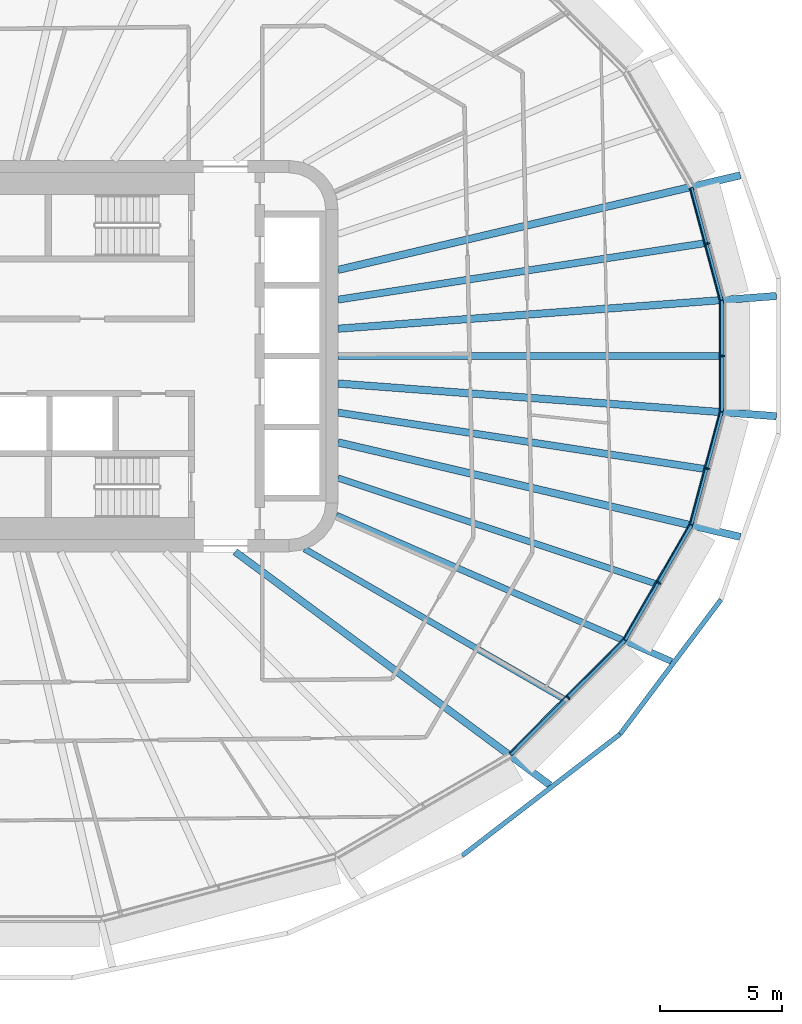
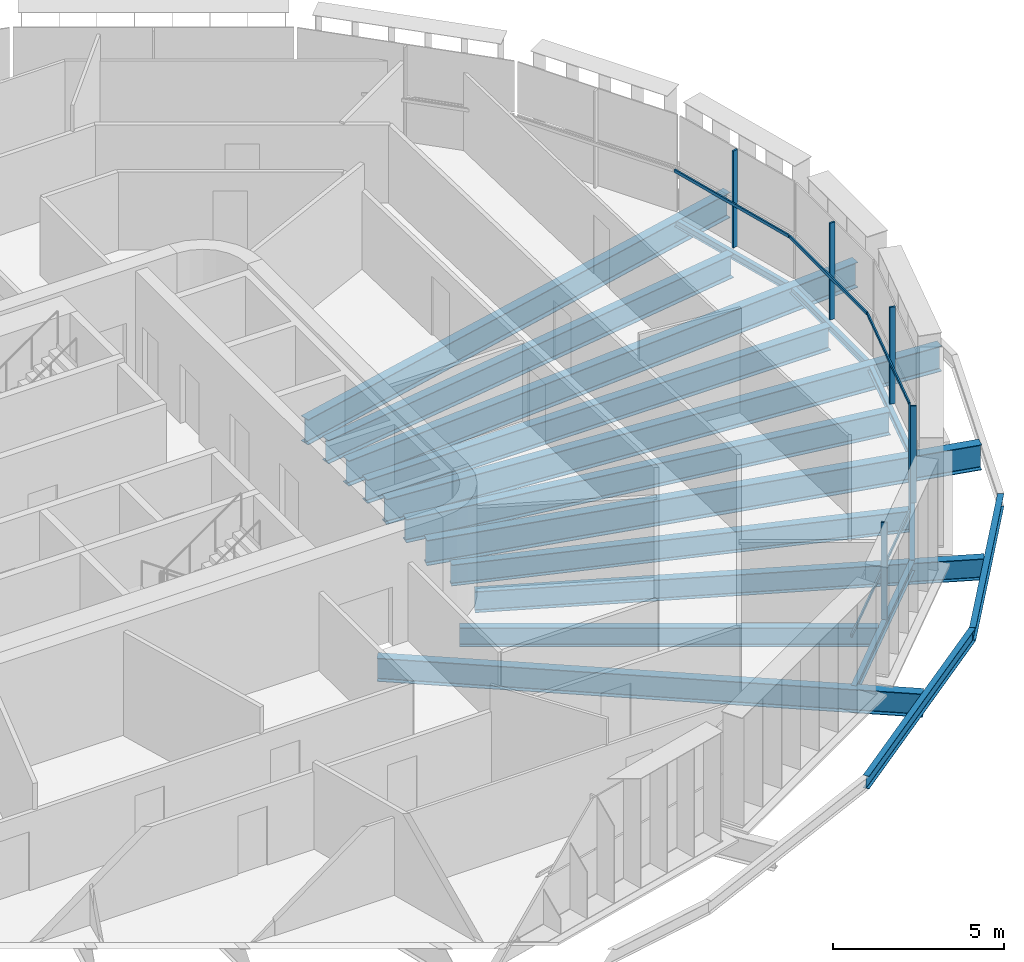
# One storey, part 4 of 22: 18 beams, 10 members, 5 elements without a shape of their own.
"""IFC4 building model written with IfcOpenShell, lengths in metres."""

import ifcopenshell
import ifcopenshell.guid

model = None  # the IFC model being written
_history = None  # IfcOwnerHistory: only IFC2X3 demands one
_inside = {}  # id of a spatial element -> (the spatial element, [elements in it])
_under = {}  # id of a project, library or spatial element -> (it, [spatial elements below it])
_declared = {}  # id of a project -> (the project, [libraries it declares])
_typed = {}  # id of a type object -> (the type object, [elements of that type])
_made_of = {}  # id of a material, layer set ... -> (it, [elements and type objects made of it])


def new_model(schema):
    """Start an empty IFC model of exactly this schema.

    Asked for "IFC4X3", IfcOpenShell would pick the latest addendum, in which some entities
    have other attributes; the version numbers below select the first issue.
    IFC2X3 requires an IfcOwnerHistory on every rooted entity: one is made here for all.
    """
    global model, _history
    if schema == "IFC4X3":
        model = ifcopenshell.file(schema_version=(4, 3, 0, 0))
    else:
        model = ifcopenshell.file(schema=schema)
    _inside.clear()
    _under.clear()
    _declared.clear()
    _typed.clear()
    _made_of.clear()
    _history = None
    if model.schema == "IFC2X3":
        org = make("IfcOrganization", Name="unknown")
        user = make(
            "IfcPersonAndOrganization",
            ThePerson=make("IfcPerson", FamilyName="unknown"),
            TheOrganization=org,
        )
        app = make(
            "IfcApplication",
            ApplicationDeveloper=org,
            Version="unknown",
            ApplicationFullName="unknown",
            ApplicationIdentifier="unknown",
        )
        _history = make(
            "IfcOwnerHistory",
            OwningUser=user,
            OwningApplication=app,
            ChangeAction="ADDED",
            CreationDate=0,
        )
    return model


def make(cls, **values):
    """One entity of the class cls with the attributes given. An attribute that is None is left unset."""
    return model.create_entity(
        cls, **{name: value for name, value in values.items() if value is not None}
    )


def rooted(cls, **values):
    """An entity with a GlobalId (a new one), such as an element, a storey or a relation."""
    return make(cls, GlobalId=ifcopenshell.guid.new(), OwnerHistory=_history, **values)


def si_unit(unit_type, name, prefix=None):
    """IfcSIUnit, for example si_unit("LENGTHUNIT", "METRE", prefix="MILLI")."""
    return make("IfcSIUnit", UnitType=unit_type, Prefix=prefix, Name=name)


def assignment(units):
    """IfcUnitAssignment: the units of a project."""
    return None if units is None else make("IfcUnitAssignment", Units=units)


def point(xyz):
    """IfcCartesianPoint."""
    return None if xyz is None else make("IfcCartesianPoint", Coordinates=xyz)


def direction(xyz):
    """IfcDirection."""
    return None if xyz is None else make("IfcDirection", DirectionRatios=xyz)


def frame(location, z_axis=None, x_axis=None):
    """IfcAxis2Placement3D, a coordinate frame: its origin and axes. An axis left out is left unset."""
    return make(
        "IfcAxis2Placement3D",
        Location=point(location),
        Axis=direction(z_axis),
        RefDirection=direction(x_axis),
    )


def frame_2d(location, x_axis=None):
    """IfcAxis2Placement2D, a coordinate frame in the plane: its origin and x axis."""
    return make(
        "IfcAxis2Placement2D", Location=point(location), RefDirection=direction(x_axis)
    )


def origin():
    """The frame at (0, 0, 0) with its axes left unset."""
    return frame((0.0, 0.0, 0.0))


def origin_2d():
    """The frame at (0, 0) in the plane with its x axis left unset."""
    return frame_2d((0.0, 0.0))


def place(relative_to, where):
    """IfcLocalPlacement: puts the frame where relative to a parent placement (None: the world)."""
    return make(
        "IfcLocalPlacement", PlacementRelTo=relative_to, RelativePlacement=where
    )


def context(
    kind, dimensions, precision=None, world=None, true_north=None, identifier=None
):
    """IfcGeometricRepresentationContext, for example the 3D "Model" context."""
    return make(
        "IfcGeometricRepresentationContext",
        ContextIdentifier=identifier,
        ContextType=kind,
        CoordinateSpaceDimension=dimensions,
        Precision=precision,
        WorldCoordinateSystem=world,
        TrueNorth=true_north,
    )


def subcontext(parent, identifier, kind, view, scale=None):
    """IfcGeometricRepresentationSubContext, for example "Body" below "Model"."""
    return make(
        "IfcGeometricRepresentationSubContext",
        ContextIdentifier=identifier,
        ContextType=kind,
        ParentContext=parent,
        TargetScale=scale,
        TargetView=view,
    )


def project(units=None, contexts=None):
    """IfcProject with its units and contexts."""
    return rooted(
        "IfcProject",
        Name="project",
        RepresentationContexts=contexts,
        UnitsInContext=assignment(units),
    )


def spatial(cls, under=None, at=None, **own):
    """A site, building, storey or space (cls), placed at a placement, below another one or the project."""
    s = rooted(cls, ObjectPlacement=at, **own)
    if under is not None:
        _under.setdefault(under.id(), (under, []))[1].append(s)
    return s


def profile(cls, at=None, kind="AREA", **sizes):
    """A parametric profile (cls). Its sizes go by their IFC names, for example OverallWidth=200.0."""
    return make(cls, ProfileType=kind, Position=at, **sizes)


def rectangle(**sizes):
    """IfcRectangleProfileDef."""
    return profile("IfcRectangleProfileDef", **sizes)


def i_section(**sizes):
    """IfcIShapeProfileDef."""
    return profile("IfcIShapeProfileDef", **sizes)


def extrude(swept, where, along, depth):
    """IfcExtrudedAreaSolid: the profile swept, set in the frame where, extruded along a direction by depth."""
    return make(
        "IfcExtrudedAreaSolid",
        SweptArea=swept,
        Position=where,
        ExtrudedDirection=direction(along),
        Depth=depth,
    )


def shape(context_of_items, identifier, shape_type, items):
    """IfcShapeRepresentation: the items that make up one representation, for example the "Body"."""
    return make(
        "IfcShapeRepresentation",
        ContextOfItems=context_of_items,
        RepresentationIdentifier=identifier,
        RepresentationType=shape_type,
        Items=items,
    )


def material(Name=None, Category=None):
    """IfcMaterial."""
    return make("IfcMaterial", Name=Name, Category=Category)


def layer(
    of_material, thickness, ventilated=None, Name=None, Category=None, Priority=None
):
    """IfcMaterialLayer: one layer of a wall or slab, of a material (None: an air gap)."""
    return make(
        "IfcMaterialLayer",
        Material=of_material,
        LayerThickness=thickness,
        IsVentilated=ventilated,
        Name=Name,
        Category=Category,
        Priority=Priority,
    )


def layer_set(layers, Name=None):
    """IfcMaterialLayerSet."""
    return make("IfcMaterialLayerSet", MaterialLayers=layers, LayerSetName=Name)


def material_profile(
    of_material, cross_section, Name=None, Category=None, Priority=None
):
    """IfcMaterialProfile: a cross section and its material."""
    return make(
        "IfcMaterialProfile",
        Name=Name,
        Material=of_material,
        Profile=cross_section,
        Priority=Priority,
        Category=Category,
    )


def profile_set(profiles, Name=None, composite=None):
    """IfcMaterialProfileSet."""
    return make(
        "IfcMaterialProfileSet",
        Name=Name,
        MaterialProfiles=profiles,
        CompositeProfile=composite,
    )


def made_of(thing, what):
    """Note that an element or type object is made of a material, layer set ...; save() writes the relation."""
    if what is not None:
        _made_of.setdefault(what.id(), (what, []))[1].append(thing)
    return thing


def type_object(cls, material=None, **own):
    """A type object (cls), such as IfcWallType, which elements share."""
    return made_of(rooted(cls, **own), material)


def element(
    cls,
    number,
    at=None,
    inside=None,
    cuts=None,
    type_object=None,
    material=None,
    context=None,
    identifier="Body",
    shape_type=None,
    held_by="IfcProductDefinitionShape",
    body=None,
    shapes=None,
    **own,
):
    """One element of the class cls, such as IfcWall. Its Tag is "e" and its number.

    at: its placement. inside: the storey or other place that contains it. cuts: it is an
    opening in that element (IfcRelVoidsElement). A single representation is given by context,
    identifier, shape_type and body (its items); several are given by shapes. held_by: the class
    of the entity that holds the representations. save() writes the other relations.
    """
    e = rooted(cls, Tag="e%d" % number, ObjectPlacement=at, **own)
    if body is not None:
        shapes = [shape(context, identifier, shape_type, body)]
    if shapes is not None:
        e.Representation = make(held_by, Representations=shapes)
    if inside is not None:
        _inside.setdefault(inside.id(), (inside, []))[1].append(e)
    if cuts is not None:
        rooted(
            "IfcRelVoidsElement", RelatingBuildingElement=cuts, RelatedOpeningElement=e
        )
    if type_object is not None:
        _typed.setdefault(type_object.id(), (type_object, []))[1].append(e)
    return made_of(e, material)


def aggregate(whole, parts):
    """IfcRelAggregates: a whole, such as a stair, and the parts it consists of."""
    return rooted("IfcRelAggregates", RelatingObject=whole, RelatedObjects=parts)


def save(model, path):
    """Write the relations noted so far, then the file.

    IfcRelAggregates (storeys below a building ...), IfcRelContainedInSpatialStructure (elements
    in a storey), IfcRelDefinesByType, IfcRelAssociatesMaterial and IfcRelDeclares: one each for
    every whole, place, type object, material and project.
    """
    for whole, parts in _under.values():
        aggregate(whole, parts)
    for where, things in _inside.values():
        rooted(
            "IfcRelContainedInSpatialStructure",
            RelatedElements=things,
            RelatingStructure=where,
        )
    for kind, things in _typed.values():
        rooted("IfcRelDefinesByType", RelatedObjects=things, RelatingType=kind)
    for what, things in _made_of.values():
        rooted("IfcRelAssociatesMaterial", RelatedObjects=things, RelatingMaterial=what)
    for by, libraries in _declared.values():
        rooted("IfcRelDeclares", RelatingContext=by, RelatedDefinitions=libraries)
    model.write(path)


model = new_model("IFC4")

# Units and contexts
model_context = context("Model", 3, precision=1e-05, world=origin(), true_north=direction((0.0, 1.0)))
body_context = subcontext(model_context, "Body", "Model", "MODEL_VIEW")
ifc_project = project(units=[si_unit("LENGTHUNIT", "METRE"), si_unit("AREAUNIT", "SQUARE_METRE"), si_unit("VOLUMEUNIT", "CUBIC_METRE"), si_unit("PLANEANGLEUNIT", "RADIAN"), si_unit("MASSUNIT", "GRAM", prefix="KILO")], contexts=[model_context])

# Site, building, storey
site_placement = place(None, origin())
site = spatial("IfcSite", under=ifc_project, at=site_placement, CompositionType="ELEMENT")
building_placement = place(site_placement, origin())
building = spatial("IfcBuilding", under=site, at=building_placement, Name="Sahrelin Media Tower", CompositionType="ELEMENT")
storey_placement = place(building_placement, frame((0.0, 0.0, 189.60009765625)))
storey = spatial("IfcBuildingStorey", under=building, at=storey_placement, Name="L40", CompositionType="ELEMENT", Elevation=189.60009765625)

# Beams
ifc_material_1 = material(Name="Steel S355", Category="steel")
ifc_material_profile_1 = material_profile(ifc_material_1, i_section(OverallWidth=0.14599609375, OverallDepth=0.25146484375, WebThickness=0.006103515625, FlangeThickness=0.008544921875, FilletRadius=0.007568359375, at=origin_2d()), Name="UB 254x146x31")
ifc_profile_set_1 = profile_set([ifc_material_profile_1], Name="Steel S355")
beam_type_1 = type_object("IfcBeamType", Name="Edge beam EB1", PredefinedType="BEAM", material=ifc_profile_set_1)
beam_1_placement = place(storey_placement, frame((30.67724609375, 2.267578125, -0.27587890625), z_axis=(0.0, -1.0, 0.0), x_axis=(1.0, 0.0, 0.0)))
element("IfcBeam", 1, at=beam_1_placement, inside=storey, type_object=beam_type_1, Name="Edge beam L40-01", PredefinedType="BEAM", context=body_context, shape_type="SweptSolid", body=[
    extrude(i_section(OverallWidth=0.14599609375, OverallDepth=0.25146484375, WebThickness=0.006103515625, FlangeThickness=0.008544921875, FilletRadius=0.007568359375, at=origin_2d()), origin(), (0.0, 0.0, 1.0), 4.53515625),
])
for number, where, z_axis, x_axis, name in (
    (2, (30.673583984375, -2.296142578125, -0.27587890625), (-0.258840645059, -0.965920038339, 0.0), (0.965920038339, -0.258840645059, 0.0), "Edge beam L40-02"),
    (3, (29.445068359375, 6.880615234375, -0.27587890625), (0.258840645059, -0.965920038339, 0.0), (0.965920038339, 0.258840645059, 0.0), "Edge beam L40-24"),
):
    element("IfcBeam", number, at=place(storey_placement, frame(where, z_axis=z_axis, x_axis=x_axis)), inside=storey, type_object=beam_type_1, Name=name, PredefinedType="BEAM", context=body_context, shape_type="SweptSolid", body=[
        extrude(i_section(OverallWidth=0.14599609375, OverallDepth=0.25146484375, WebThickness=0.006103515625, FlangeThickness=0.008544921875, FilletRadius=0.007568359375, at=origin_2d()), origin(), (0.0, 0.0, 1.0), 4.746337890625),
    ])
ifc_material_profile_2 = material_profile(ifc_material_1, i_section(OverallWidth=0.1650390625, OverallDepth=0.303466796875, WebThickness=0.006103515625, FlangeThickness=0.01025390625, FilletRadius=0.0087890625, at=origin_2d()), Name="UB 305x165x40")
ifc_profile_set_2 = profile_set([ifc_material_profile_2], Name="Steel S355")
beam_type_2 = type_object("IfcBeamType", Name="Edge beam EB2", PredefinedType="BEAM", material=ifc_profile_set_2)
beam_2_placement = place(storey_placement, frame((29.43408203125, -6.9072265625, -0.3017578125), z_axis=(-0.500016705875, -0.866015758428, 0.0), x_axis=(0.866015758428, -0.500016705875, 0.0)))
element("IfcBeam", 4, at=beam_2_placement, inside=storey, type_object=beam_type_2, Name="Edge beam L40-03", PredefinedType="BEAM", context=body_context, shape_type="SweptSolid", body=[
    extrude(i_section(OverallWidth=0.1650390625, OverallDepth=0.303466796875, WebThickness=0.006103515625, FlangeThickness=0.01025390625, FilletRadius=0.0087890625, at=origin_2d()), origin(), (0.0, 0.0, 1.0), 5.410400390625),
])
ifc_material_profile_3 = material_profile(ifc_material_1, i_section(OverallWidth=0.17138671875, OverallDepth=0.35498046875, WebThickness=0.00732421875, FlangeThickness=0.011474609375, FilletRadius=0.01025390625, at=origin_2d()), Name="UB 356x171x51")
ifc_profile_set_3 = profile_set([ifc_material_profile_3], Name="Steel S355")
beam_type_3 = type_object("IfcBeamType", Name="Edge beam EB3", PredefinedType="BEAM", material=ifc_profile_set_3)
beam_3_placement = place(storey_placement, frame((26.711181640625, -11.61572265625, -0.32763671875), z_axis=(-0.70708825429, -0.707125307597, 0.0), x_axis=(0.707125307597, -0.70708825429, 0.0)))
element("IfcBeam", 5, at=beam_3_placement, inside=storey, type_object=beam_type_3, Name="Edge beam L40-04", PredefinedType="BEAM", context=body_context, shape_type="SweptSolid", body=[
    extrude(i_section(OverallWidth=0.17138671875, OverallDepth=0.35498046875, WebThickness=0.00732421875, FlangeThickness=0.011474609375, FilletRadius=0.01025390625, at=origin_2d()), origin(), (0.0, 0.0, 1.0), 6.5888671875),
])

# Curtain wall, member
ifc_material_2 = material(Name="Champagne anodised aluminium 6063-T6", Category="aluminium")
ifc_layer = layer(ifc_material_2, 0.14990234375)
ifc_layer_set = layer_set([ifc_layer], Name="Tower ribbon curtain wall")
curtain_wall_type = type_object("IfcCurtainWallType", Name="Tower ribbon curtain wall", PredefinedType="NOTDEFINED", material=ifc_layer_set)
curtain_wall_1_placement = place(storey_placement, frame((30.827392578125, 0.0, 0.0), z_axis=(0.0, 0.0, 1.0), x_axis=(1.0, 0.0, 0.0)))
curtain_wall_1 = element("IfcCurtainWall", 6, at=curtain_wall_1_placement, inside=storey, type_object=curtain_wall_type, Name="L40:CW:L40-00", PredefinedType="NOTDEFINED")
ifc_material_profile_4 = material_profile(ifc_material_2, rectangle(XDim=0.06005859375, YDim=0.175048828125, at=origin_2d()), Name="Mullion 60x175")
ifc_profile_set_4 = profile_set([ifc_material_profile_4], Name="Champagne anodised aluminium 6063-T6")
member_type_1 = type_object("IfcMemberType", Name="Mullion 60x175 CW1B", PredefinedType="MULLION", material=ifc_profile_set_4)
member_1_placement = place(storey_placement, frame((30.7197265625, 0.0, 0.0), z_axis=(0.0, 0.0, 1.0), x_axis=(0.0, 1.0, 0.0)))
member_1 = element("IfcMember", 7, at=member_1_placement, type_object=member_type_1, Name="L40:CWM:L40-00", PredefinedType="MULLION", context=body_context, shape_type="SweptSolid", body=[
    extrude(rectangle(XDim=0.06005859375, YDim=0.175048828125, at=origin_2d()), origin(), (0.0, 0.0, 1.0), 3.448486328125),
])

curtain_wall_2_placement = place(storey_placement, frame((30.2041015625, 4.627197265625, 0.0), z_axis=(0.0, 0.0, 1.0), x_axis=(1.0, 0.0, 0.0)))
curtain_wall_2 = element("IfcCurtainWall", 8, at=curtain_wall_2_placement, inside=storey, type_object=curtain_wall_type, Name="L40:CW:L40-01", PredefinedType="NOTDEFINED")
member_2_placement = place(storey_placement, frame((30.100341796875, 4.599365234375, 0.0), z_axis=(0.0, 0.0, 1.0), x_axis=(-0.25882916024, 0.965923115889, 0.0)))
member_2 = element("IfcMember", 9, at=member_2_placement, type_object=member_type_1, Name="L40:CWM:L40-01", PredefinedType="MULLION", context=body_context, shape_type="SweptSolid", body=[
    extrude(rectangle(XDim=0.06005859375, YDim=0.175048828125, at=origin_2d()), origin(), (0.0, 0.0, 1.0), 3.448486328125),
])

curtain_wall_3_placement = place(storey_placement, frame((24.48779296875, -14.05126953125, 0.0), z_axis=(0.0, 0.0, 1.0), x_axis=(1.0, 0.0, 0.0)))
curtain_wall_3 = element("IfcCurtainWall", 10, at=curtain_wall_3_placement, inside=storey, type_object=curtain_wall_type, Name="L40:CW:L40-21", PredefinedType="NOTDEFINED")
member_3_placement = place(storey_placement, frame((24.411865234375, -13.975341796875, 0.0), z_axis=(0.0, 0.0, 1.0), x_axis=(0.707106781187, 0.707106781187, 0.0)))
member_3 = element("IfcMember", 11, at=member_3_placement, type_object=member_type_1, Name="L40:CWM:L40-21", PredefinedType="MULLION", context=body_context, shape_type="SweptSolid", body=[
    extrude(rectangle(XDim=0.06005859375, YDim=0.175048828125, at=origin_2d()), origin(), (0.0, 0.0, 1.0), 3.448486328125),
])

curtain_wall_4_placement = place(storey_placement, frame((28.21142578125, -9.324951171875, 0.0), z_axis=(0.0, 0.0, 1.0), x_axis=(1.0, 0.0, 0.0)))
curtain_wall_4 = element("IfcCurtainWall", 12, at=curtain_wall_4_placement, inside=storey, type_object=curtain_wall_type, Name="L40:CW:L40-22", PredefinedType="NOTDEFINED")
member_4_placement = place(storey_placement, frame((28.118408203125, -9.271240234375, 0.0), z_axis=(0.0, 0.0, 1.0), x_axis=(0.499996976998, 0.866027149108, 0.0)))
member_4 = element("IfcMember", 13, at=member_4_placement, type_object=member_type_1, Name="L40:CWM:L40-22", PredefinedType="MULLION", context=body_context, shape_type="SweptSolid", body=[
    extrude(rectangle(XDim=0.06005859375, YDim=0.175048828125, at=origin_2d()), origin(), (0.0, 0.0, 1.0), 3.448486328125),
])

curtain_wall_5_placement = place(storey_placement, frame((30.2041015625, -4.627197265625, 0.0), z_axis=(0.0, 0.0, 1.0), x_axis=(1.0, 0.0, 0.0)))
curtain_wall_5 = element("IfcCurtainWall", 14, at=curtain_wall_5_placement, inside=storey, type_object=curtain_wall_type, Name="L40:CW:L40-23", PredefinedType="NOTDEFINED")
member_5_placement = place(storey_placement, frame((30.100341796875, -4.599365234375, 0.0), z_axis=(0.0, 0.0, 1.0), x_axis=(0.25882916024, 0.965923115889, 0.0)))
member_5 = element("IfcMember", 15, at=member_5_placement, type_object=member_type_1, Name="L40:CWM:L40-23", PredefinedType="MULLION", context=body_context, shape_type="SweptSolid", body=[
    extrude(rectangle(XDim=0.06005859375, YDim=0.175048828125, at=origin_2d()), origin(), (0.0, 0.0, 1.0), 3.448486328125),
])

# Beams
ifc_material_profile_5 = material_profile(ifc_material_1, i_section(OverallWidth=0.291748046875, OverallDepth=0.8349609375, WebThickness=0.013916015625, FlangeThickness=0.018798828125, FilletRadius=0.017822265625, at=origin_2d()), Name="UB 838x292x176")
ifc_profile_set_5 = profile_set([ifc_material_profile_5], Name="Steel S355")
beam_type_4 = type_object("IfcBeamType", Name="Radial primary beam PB10", PredefinedType="BEAM", material=ifc_profile_set_5)
beam_4_placement = place(storey_placement, frame((10.793701171875, -8.0, -0.567626953125), z_axis=(0.803389813403, -0.595453447148, 0.0), x_axis=(0.595453447148, 0.803389813403, 0.0)))
element("IfcBeam", 16, at=beam_4_placement, inside=storey, type_object=beam_type_4, Name="Radial beam L40-21", PredefinedType="BEAM", context=body_context, shape_type="SweptSolid", body=[
    extrude(i_section(OverallWidth=0.291748046875, OverallDepth=0.8349609375, WebThickness=0.013916015625, FlangeThickness=0.018798828125, FilletRadius=0.017822265625, at=origin_2d()), origin(), (0.0, 0.0, 1.0), 16.023193359375),
])
ifc_material_profile_6 = material_profile(ifc_material_1, i_section(OverallWidth=0.30322265625, OverallDepth=0.903076171875, WebThickness=0.01513671875, FlangeThickness=0.020263671875, FilletRadius=0.01904296875, at=origin_2d()), Name="UB 914x305x201")
ifc_profile_set_6 = profile_set([ifc_material_profile_6], Name="Steel S355")
beam_type_5 = type_object("IfcBeamType", Name="Radial primary beam PB11", PredefinedType="BEAM", material=ifc_profile_set_6)
beam_5_placement = place(storey_placement, frame((15.0, 1.1201171875, -0.6015625), z_axis=(0.997224479283, 0.074453595747, 0.0), x_axis=(-0.074453595747, 0.997224479283, 0.0)))
element("IfcBeam", 17, at=beam_5_placement, inside=storey, type_object=beam_type_5, Name="Radial beam L40-01", PredefinedType="BEAM", context=body_context, shape_type="SweptSolid", body=[
    extrude(i_section(OverallWidth=0.30322265625, OverallDepth=0.903076171875, WebThickness=0.01513671875, FlangeThickness=0.020263671875, FilletRadius=0.01904296875, at=origin_2d()), origin(), (0.0, 0.0, 1.0), 17.97265625),
])
for number, where, z_axis, x_axis, name in (
    (18, (15.0, 3.525390625, -0.6015625), (0.973472662626, 0.228803354697, 0.0), (-0.228803354697, 0.973472662626, 0.0), "Radial beam L40-02"),
    (19, (15.0, -3.525390625, -0.6015625), (0.973472662626, -0.228803354697, 0.0), (0.228803354697, 0.973472662626, 0.0), "Radial beam L40-23"),
):
    element("IfcBeam", number, at=place(storey_placement, frame(where, z_axis=z_axis, x_axis=x_axis)), inside=storey, type_object=beam_type_5, Name=name, PredefinedType="BEAM", context=body_context, shape_type="SweptSolid", body=[
        extrude(i_section(OverallWidth=0.30322265625, OverallDepth=0.903076171875, WebThickness=0.01513671875, FlangeThickness=0.020263671875, FilletRadius=0.01904296875, at=origin_2d()), origin(), (0.0, 0.0, 1.0), 16.896484375),
    ])
beam_6_placement = place(storey_placement, frame((15.0, -1.1201171875, -0.6015625), z_axis=(0.997224479283, -0.074453595747, 0.0), x_axis=(0.074453595747, 0.997224479283, 0.0)))
element("IfcBeam", 20, at=beam_6_placement, inside=storey, type_object=beam_type_5, Name="Radial beam L40-24", PredefinedType="BEAM", context=body_context, shape_type="SweptSolid", body=[
    extrude(i_section(OverallWidth=0.30322265625, OverallDepth=0.903076171875, WebThickness=0.01513671875, FlangeThickness=0.020263671875, FilletRadius=0.01904296875, at=origin_2d()), origin(), (0.0, 0.0, 1.0), 17.97265625),
])
ifc_material_profile_7 = material_profile(ifc_material_1, i_section(OverallWidth=0.26513671875, OverallDepth=0.75390625, WebThickness=0.0126953125, FlangeThickness=0.017578125, FilletRadius=0.0166015625, at=origin_2d()), Name="UB 762x267x147")
ifc_profile_set_7 = profile_set([ifc_material_profile_7], Name="Steel S355")
beam_type_6 = type_object("IfcBeamType", Name="Radial primary beam PB9", PredefinedType="BEAM", material=ifc_profile_set_7)
beam_7_placement = place(storey_placement, frame((14.93310546875, -6.5078125, -0.527099609375), z_axis=(0.916726625992, -0.399515072555, 0.0), x_axis=(0.399515072555, 0.916726625992, 0.0)))
element("IfcBeam", 21, at=beam_7_placement, inside=storey, type_object=beam_type_6, Name="Radial beam L40-22", PredefinedType="BEAM", context=body_context, shape_type="SweptSolid", body=[
    extrude(i_section(OverallWidth=0.26513671875, OverallDepth=0.75390625, WebThickness=0.0126953125, FlangeThickness=0.017578125, FilletRadius=0.0166015625, at=origin_2d()), origin(), (0.0, 0.0, 1.0), 14.955810546875),
])
ifc_material_profile_8 = material_profile(ifc_material_1, i_section(OverallWidth=0.291748046875, OverallDepth=0.8349609375, WebThickness=0.013916015625, FlangeThickness=0.018798828125, FilletRadius=0.017822265625, at=origin_2d()), Name="UB 838x292x176")
ifc_profile_set_8 = profile_set([ifc_material_profile_8], Name="Steel S355")
beam_type_7 = type_object("IfcBeamType", Name="Radial secondary beam SB10", PredefinedType="BEAM", material=ifc_profile_set_8)
for number, where, z_axis, x_axis, name in (
    (22, (15.0, 2.308349609375, -0.567626953125), (0.988366481837, 0.152091083176, 0.0), (-0.152091083176, 0.988366481837, 0.0), "Secondary beam L40-01"),
    (23, (15.0, -2.308349609375, -0.567626953125), (0.988366481837, -0.152091083176, 0.0), (0.152091083176, 0.988366481837, 0.0), "Secondary beam L40-23"),
):
    element("IfcBeam", number, at=place(storey_placement, frame(where, z_axis=z_axis, x_axis=x_axis)), inside=storey, type_object=beam_type_7, Name=name, PredefinedType="BEAM", context=body_context, shape_type="SweptSolid", body=[
        extrude(i_section(OverallWidth=0.291748046875, OverallDepth=0.8349609375, WebThickness=0.013916015625, FlangeThickness=0.018798828125, FilletRadius=0.017822265625, at=origin_2d()), origin(), (0.0, 0.0, 1.0), 15.1533203125),
    ])
beam_8_placement = place(storey_placement, frame((15.0, 0.0, -0.567626953125), z_axis=(1.0, 0.0, 0.0), x_axis=(0.0, 1.0, 0.0)))
element("IfcBeam", 24, at=beam_8_placement, inside=storey, type_object=beam_type_7, Name="Secondary beam L40-24", PredefinedType="BEAM", context=body_context, shape_type="SweptSolid", body=[
    extrude(i_section(OverallWidth=0.291748046875, OverallDepth=0.8349609375, WebThickness=0.013916015625, FlangeThickness=0.018798828125, FilletRadius=0.017822265625, at=origin_2d()), origin(), (0.0, 0.0, 1.0), 15.604248046875),
])
ifc_material_profile_9 = material_profile(ifc_material_1, i_section(OverallWidth=0.2529296875, OverallDepth=0.677978515625, WebThickness=0.01171875, FlangeThickness=0.01611328125, FilletRadius=0.01513671875, at=origin_2d()), Name="UB 686x254x125")
ifc_profile_set_9 = profile_set([ifc_material_profile_9], Name="Steel S355")
beam_type_8 = type_object("IfcBeamType", Name="Radial secondary beam SB8", PredefinedType="BEAM", material=ifc_profile_set_9)
beam_9_placement = place(storey_placement, frame((13.63134765625, -7.884765625, -0.489013671875), z_axis=(0.865627368976, -0.500688783658, 0.0), x_axis=(0.500688783658, 0.865627368976, 0.0)))
element("IfcBeam", 25, at=beam_9_placement, inside=storey, type_object=beam_type_8, Name="Secondary beam L40-21", PredefinedType="BEAM", context=body_context, shape_type="SweptSolid", body=[
    extrude(i_section(OverallWidth=0.2529296875, OverallDepth=0.677978515625, WebThickness=0.01171875, FlangeThickness=0.01611328125, FilletRadius=0.01513671875, at=origin_2d()), origin(), (0.0, 0.0, 1.0), 12.215087890625),
])
ifc_material_profile_10 = material_profile(ifc_material_1, i_section(OverallWidth=0.26513671875, OverallDepth=0.75390625, WebThickness=0.0126953125, FlangeThickness=0.017578125, FilletRadius=0.0166015625, at=origin_2d()), Name="UB 762x267x147")
ifc_profile_set_10 = profile_set([ifc_material_profile_10], Name="Steel S355")
beam_type_9 = type_object("IfcBeamType", Name="Radial secondary beam SB9", PredefinedType="BEAM", material=ifc_profile_set_10)
beam_10_placement = place(storey_placement, frame((15.0, -4.986083984375, -0.527099609375), z_axis=(0.948949304443, -0.315428625204, 0.0), x_axis=(0.315428625204, 0.948949304443, 0.0)))
element("IfcBeam", 26, at=beam_10_placement, inside=storey, type_object=beam_type_9, Name="Secondary beam L40-22", PredefinedType="BEAM", context=body_context, shape_type="SweptSolid", body=[
    extrude(i_section(OverallWidth=0.26513671875, OverallDepth=0.75390625, WebThickness=0.0126953125, FlangeThickness=0.017578125, FilletRadius=0.0166015625, at=origin_2d()), origin(), (0.0, 0.0, 1.0), 13.657958984375),
])
ifc_material_profile_11 = material_profile(ifc_material_1, i_section(OverallWidth=0.1904296875, OverallDepth=0.45703125, WebThickness=0.009033203125, FlangeThickness=0.014404296875, FilletRadius=0.01025390625, at=origin_2d()), Name="UB 457x191x74")
ifc_profile_set_11 = profile_set([ifc_material_profile_11], Name="Steel S355")
beam_type_10 = type_object("IfcBeamType", Name="Tie chord TC5", PredefinedType="BEAM", material=ifc_profile_set_11)
beam_11_placement = place(storey_placement, frame((20.077880859375, -20.423095703125, -0.378662109375), z_axis=(0.79244682071, 0.609941010547, 0.0), x_axis=(-0.609941010547, 0.79244682071, 0.0)))
element("IfcBeam", 27, at=beam_11_placement, inside=storey, type_object=beam_type_10, Name="Tie chord L40-21", PredefinedType="BEAM", context=body_context, shape_type="SweptSolid", body=[
    extrude(i_section(OverallWidth=0.1904296875, OverallDepth=0.45703125, WebThickness=0.009033203125, FlangeThickness=0.014404296875, FilletRadius=0.01025390625, at=origin_2d()), origin(), (0.0, 0.0, 1.0), 8.146728515625),
])
beam_12_placement = place(storey_placement, frame((26.53369140625, -15.4541015625, -0.378662109375), z_axis=(0.600068247982, 0.799948809465, 0.0), x_axis=(-0.799948809465, 0.600068247982, 0.0)))
element("IfcBeam", 28, at=beam_12_placement, inside=storey, type_object=beam_type_10, Name="Tie chord L40-22", PredefinedType="BEAM", context=body_context, shape_type="SweptSolid", body=[
    extrude(i_section(OverallWidth=0.1904296875, OverallDepth=0.45703125, WebThickness=0.009033203125, FlangeThickness=0.014404296875, FilletRadius=0.01025390625, at=origin_2d()), origin(), (0.0, 0.0, 1.0), 6.8681640625),
])

# Member
ifc_material_profile_12 = material_profile(ifc_material_2, rectangle(XDim=0.050048828125, YDim=0.110107421875, at=origin_2d()), Name="Transom 50x110")
ifc_profile_set_12 = profile_set([ifc_material_profile_12], Name="Champagne anodised aluminium 6063-T6")
member_type_2 = type_object("IfcMemberType", Name="Transom 50x110 CW1B", PredefinedType="USERDEFINED", material=ifc_profile_set_12)
member_6_placement = place(storey_placement, frame((30.607421875, -2.251708984375, 1.599853515625), z_axis=(0.0, 1.0, 0.0), x_axis=(-1.0, 0.0, 0.0)))
member_6 = element("IfcMember", 29, at=member_6_placement, type_object=member_type_2, Name="L40:CWT:L40-00", ObjectType="TRANSOM", PredefinedType="USERDEFINED", context=body_context, shape_type="SweptSolid", body=[
    extrude(rectangle(XDim=0.050048828125, YDim=0.110107421875, at=origin_2d()), origin(), (0.0, 0.0, 1.0), 4.50341796875),
])

aggregate(curtain_wall_1, [member_1, member_6])

member_7_placement = place(storey_placement, frame((30.601806640625, 2.293212890625, 1.599853515625), z_axis=(-0.258803380373, 0.965930023505, 0.0), x_axis=(-0.965930023505, -0.258803380373, 0.0)))
member_7 = element("IfcMember", 30, at=member_7_placement, type_object=member_type_2, Name="L40:CWT:L40-01", ObjectType="TRANSOM", PredefinedType="USERDEFINED", context=body_context, shape_type="SweptSolid", body=[
    extrude(rectangle(XDim=0.050048828125, YDim=0.110107421875, at=origin_2d()), origin(), (0.0, 0.0, 1.0), 4.71484375),
])

aggregate(curtain_wall_2, [member_2, member_7])

member_8_placement = place(storey_placement, frame((22.013916015625, -16.214111328125, 1.599853515625), z_axis=(0.707106781187, 0.707106781187, 0.0), x_axis=(-0.707106781187, 0.707106781187, 0.0)))
member_8 = element("IfcMember", 31, at=member_8_placement, type_object=member_type_2, Name="L40:CWT:L40-21", ObjectType="TRANSOM", PredefinedType="USERDEFINED", context=body_context, shape_type="SweptSolid", body=[
    extrude(rectangle(XDim=0.050048828125, YDim=0.110107421875, at=origin_2d()), origin(), (0.0, 0.0, 1.0), 6.557373046875),
])

aggregate(curtain_wall_3, [member_3, member_8])

member_9_placement = place(storey_placement, frame((26.676025390625, -11.544189453125, 1.599853515625), z_axis=(0.499985686398, 0.866033667589, 0.0), x_axis=(-0.866033667589, 0.499985686398, 0.0)))
member_9 = element("IfcMember", 32, at=member_9_placement, type_object=member_type_2, Name="L40:CWT:L40-22", ObjectType="TRANSOM", PredefinedType="USERDEFINED", context=body_context, shape_type="SweptSolid", body=[
    extrude(rectangle(XDim=0.050048828125, YDim=0.110107421875, at=origin_2d()), origin(), (0.0, 0.0, 1.0), 5.379150390625),
])

aggregate(curtain_wall_4, [member_4, member_9])

member_10_placement = place(storey_placement, frame((29.381591796875, -6.847412109375, 1.599853515625), z_axis=(0.258803380373, 0.965930023505, 0.0), x_axis=(-0.965930023505, 0.258803380373, 0.0)))
member_10 = element("IfcMember", 33, at=member_10_placement, type_object=member_type_2, Name="L40:CWT:L40-23", ObjectType="TRANSOM", PredefinedType="USERDEFINED", context=body_context, shape_type="SweptSolid", body=[
    extrude(rectangle(XDim=0.050048828125, YDim=0.110107421875, at=origin_2d()), origin(), (0.0, 0.0, 1.0), 4.71484375),
])

aggregate(curtain_wall_5, [member_5, member_10])

save(model, "model.ifc")
